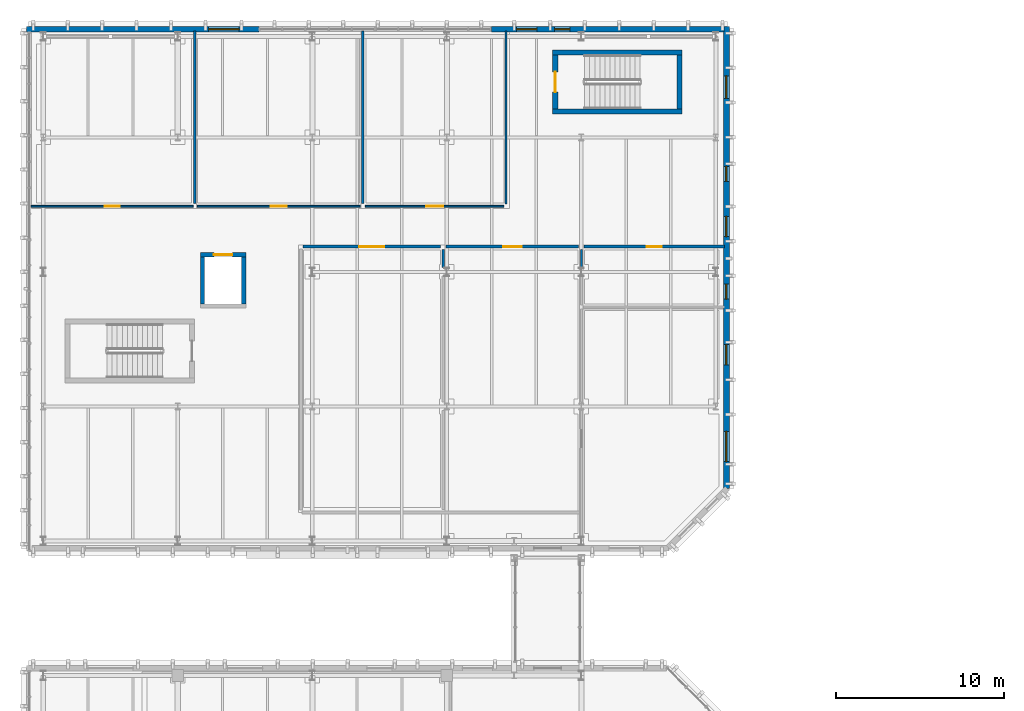
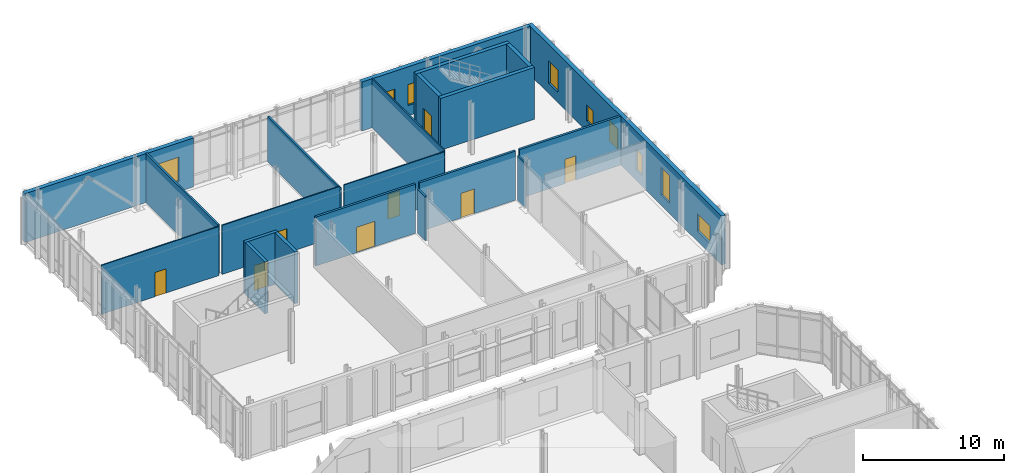
# One storey, part 71 of 100: 21 walls, 9 windows, 8 doors, 17 openings.
"""IFC4 building model written with IfcOpenShell, lengths in metres."""

from ifc_helpers import new_model, si_unit, direction, frame, frame_2d, origin, place, context, subcontext, project, spatial, rectangle, extrude, material, layer, layer_set, type_object, element, fill, save


model = new_model("IFC4")

# Units and contexts
model_context = context("Model", 3, precision=1e-05, world=origin(), true_north=direction((0.0, 1.0)))
body_context = subcontext(model_context, "Body", "Model", "MODEL_VIEW")
ifc_project = project(units=[si_unit("LENGTHUNIT", "METRE"), si_unit("AREAUNIT", "SQUARE_METRE"), si_unit("VOLUMEUNIT", "CUBIC_METRE"), si_unit("PLANEANGLEUNIT", "RADIAN"), si_unit("MASSUNIT", "GRAM", prefix="KILO")], contexts=[model_context])

# Site, building, storey
site_placement = place(None, origin())
site = spatial("IfcSite", under=ifc_project, at=site_placement, CompositionType="ELEMENT")
building_placement = place(site_placement, origin())
building = spatial("IfcBuilding", under=site, at=building_placement, Name="Cymarion Research Institute", CompositionType="ELEMENT")
storey_placement = place(building_placement, frame((0.0, 0.0, 4.800048828125)))
storey = spatial("IfcBuildingStorey", under=building, at=storey_placement, Name="L01", CompositionType="ELEMENT", Elevation=4.800048828125)

# Wall, openings, windows
ifc_material_1 = material(Name="Precast concrete C40/50", Category="concrete")
ifc_layer_1 = layer(ifc_material_1, 0.340087890625)
ifc_layer_set_1 = layer_set([ifc_layer_1], Name="Precast concrete C40/50")
wall_type_1 = type_object("IfcWallType", Name="EXTERIOR WALL EW-PC340 340MM", PredefinedType="SOLIDWALL", material=ifc_layer_set_1)
wall_1_placement = place(storey_placement, frame((47.22998046875, 88.622802734375, 0.0), z_axis=(0.0, 0.0, 1.0), x_axis=(0.0, 1.0, 0.0)))
wall_1 = element("IfcWall", 1, at=wall_1_placement, inside=storey, type_object=wall_type_1, Name="L01 V5 exterior wall EW-PC340 #115", PredefinedType="SOLIDWALL", context=body_context, shape_type="SweptSolid", body=[
    extrude(rectangle(XDim=27.477294921875, YDim=0.340087890625, at=frame_2d((13.73876953125, 0.0))), origin(), (0.0, 0.0, 1.0), 4.25),
])
opening_1_placement = place(wall_1_placement, frame((1.589111328125, 0.0, 0.89990234375)))
opening_1 = element("IfcOpeningElement", 2, at=opening_1_placement, cuts=wall_1, Name="Opening W17", PredefinedType="OPENING", context=body_context, shape_type="SweptSolid", body=[
    extrude(rectangle(XDim=1.800048828125, YDim=1.5, at=frame_2d((0.89990234375, 0.75))), frame((0.0, 0.179931640625, 0.0), z_axis=(0.0, -1.0, 0.0), x_axis=(1.0, 0.0, 0.0)), (0.0, 0.0, 1.0), 0.360107421875),
])
opening_2_placement = place(wall_1_placement, frame((7.346923828125, 0.0, 0.89990234375)))
opening_2 = element("IfcOpeningElement", 3, at=opening_2_placement, cuts=wall_1, Name="Opening W19", PredefinedType="OPENING", context=body_context, shape_type="SweptSolid", body=[
    extrude(rectangle(XDim=1.199951171875, YDim=2.39990234375, at=frame_2d((0.60009765625, 1.199951171875))), frame((0.0, 0.179931640625, 0.0), z_axis=(0.0, -1.0, 0.0), x_axis=(1.0, 0.0, 0.0)), (0.0, 0.0, 1.0), 0.360107421875),
])
opening_3_placement = place(wall_1_placement, frame((11.257080078125, 0.0, 0.89990234375)))
opening_3 = element("IfcOpeningElement", 4, at=opening_3_placement, cuts=wall_1, Name="Opening W24", PredefinedType="OPENING", context=body_context, shape_type="SweptSolid", body=[
    extrude(rectangle(XDim=0.89990234375, YDim=1.800048828125, at=frame_2d((0.449951171875, 0.89990234375))), frame((0.0, 0.179931640625, 0.0), z_axis=(0.0, -1.0, 0.0), x_axis=(1.0, 0.0, 0.0)), (0.0, 0.0, 1.0), 0.360107421875),
])
opening_4_placement = place(wall_1_placement, frame((14.97705078125, 0.0, 0.89990234375)))
opening_4 = element("IfcOpeningElement", 5, at=opening_4_placement, cuts=wall_1, Name="Opening W01", PredefinedType="OPENING", context=body_context, shape_type="SweptSolid", body=[
    extrude(rectangle(XDim=1.199951171875, YDim=1.800048828125, at=frame_2d((0.60009765625, 0.89990234375))), frame((0.0, 0.179931640625, 0.0), z_axis=(0.0, -1.0, 0.0), x_axis=(1.0, 0.0, 0.0)), (0.0, 0.0, 1.0), 0.360107421875),
])
opening_5_placement = place(wall_1_placement, frame((18.257080078125, 0.0, 0.89990234375)))
opening_5 = element("IfcOpeningElement", 6, at=opening_5_placement, cuts=wall_1, Name="Opening W25", PredefinedType="OPENING", context=body_context, shape_type="SweptSolid", body=[
    extrude(rectangle(XDim=0.89990234375, YDim=1.39990234375, at=frame_2d((0.449951171875, 0.699951171875))), frame((0.0, 0.179931640625, 0.0), z_axis=(0.0, -1.0, 0.0), x_axis=(1.0, 0.0, 0.0)), (0.0, 0.0, 1.0), 0.360107421875),
])
opening_6_placement = place(wall_1_placement, frame((23.19189453125, 0.0, 0.89990234375)))
opening_6 = element("IfcOpeningElement", 7, at=opening_6_placement, cuts=wall_1, Name="Opening W27", PredefinedType="OPENING", context=body_context, shape_type="SweptSolid", body=[
    extrude(rectangle(XDim=1.35009765625, YDim=1.949951171875, at=frame_2d((0.675048828125, 0.97509765625))), frame((0.0, 0.179931640625, 0.0), z_axis=(0.0, -1.0, 0.0), x_axis=(1.0, 0.0, 0.0)), (0.0, 0.0, 1.0), 0.360107421875),
])
ifc_material_2 = material(Name="Thermally broken aluminium window with Low-E glazing", Category="aluminium")
window_type_1 = type_object("IfcWindowType", Name="THERMALLY BROKEN ALUMINIUM WINDOW W01 1200X1800", PartitioningType="SINGLE_PANEL", PredefinedType="WINDOW", material=ifc_material_2)
window_1_placement = place(opening_4_placement, origin())
window_1 = element("IfcWindow", 8, at=window_1_placement, inside=storey, type_object=window_type_1, Name="L01 V5 facade window W01 #220", OverallHeight=1.800048828125, OverallWidth=1.199951171875, PartitioningType="SINGLE_PANEL", PredefinedType="WINDOW", context=body_context, shape_type="SweptSolid", body=[
    extrude(rectangle(XDim=1.199951171875, YDim=1.800048828125, at=frame_2d((0.60009765625, 0.89990234375))), frame((0.0, 0.030029296875, 0.0), z_axis=(0.0, -1.0, 0.0), x_axis=(1.0, 0.0, 0.0)), (0.0, 0.0, 1.0), 0.06005859375),
])
fill(opening_4, window_1)
window_type_2 = type_object("IfcWindowType", Name="THERMALLY BROKEN ALUMINIUM WINDOW W17 1800X1500", PartitioningType="DOUBLE_PANEL_HORIZONTAL", PredefinedType="WINDOW", material=ifc_material_2)
window_2_placement = place(opening_1_placement, origin())
window_2 = element("IfcWindow", 9, at=window_2_placement, inside=storey, type_object=window_type_2, Name="L01 V5 facade window W17 #217", OverallHeight=1.5, OverallWidth=1.800048828125, PartitioningType="SINGLE_PANEL", PredefinedType="WINDOW", context=body_context, shape_type="SweptSolid", body=[
    extrude(rectangle(XDim=1.800048828125, YDim=1.5, at=frame_2d((0.89990234375, 0.75))), frame((0.0, 0.030029296875, 0.0), z_axis=(0.0, -1.0, 0.0), x_axis=(1.0, 0.0, 0.0)), (0.0, 0.0, 1.0), 0.06005859375),
])
fill(opening_1, window_2)
window_type_3 = type_object("IfcWindowType", Name="THERMALLY BROKEN ALUMINIUM WINDOW W19 1200X2400", PartitioningType="SINGLE_PANEL", PredefinedType="WINDOW", material=ifc_material_2)
window_3_placement = place(opening_2_placement, origin())
window_3 = element("IfcWindow", 10, at=window_3_placement, inside=storey, type_object=window_type_3, Name="L01 V5 facade window W19 #218", OverallHeight=2.39990234375, OverallWidth=1.199951171875, PartitioningType="SINGLE_PANEL", PredefinedType="WINDOW", context=body_context, shape_type="SweptSolid", body=[
    extrude(rectangle(XDim=1.199951171875, YDim=2.39990234375, at=frame_2d((0.60009765625, 1.199951171875))), frame((0.0, 0.030029296875, 0.0), z_axis=(0.0, -1.0, 0.0), x_axis=(1.0, 0.0, 0.0)), (0.0, 0.0, 1.0), 0.06005859375),
])
fill(opening_2, window_3)
window_type_4 = type_object("IfcWindowType", Name="THERMALLY BROKEN ALUMINIUM WINDOW W24 900X1800", PartitioningType="SINGLE_PANEL", PredefinedType="WINDOW", material=ifc_material_2)
window_4_placement = place(opening_3_placement, origin())
window_4 = element("IfcWindow", 11, at=window_4_placement, inside=storey, type_object=window_type_4, Name="L01 V5 facade window W24 #219", OverallHeight=1.800048828125, OverallWidth=0.89990234375, PartitioningType="SINGLE_PANEL", PredefinedType="WINDOW", context=body_context, shape_type="SweptSolid", body=[
    extrude(rectangle(XDim=0.89990234375, YDim=1.800048828125, at=frame_2d((0.449951171875, 0.89990234375))), frame((0.0, 0.030029296875, 0.0), z_axis=(0.0, -1.0, 0.0), x_axis=(1.0, 0.0, 0.0)), (0.0, 0.0, 1.0), 0.06005859375),
])
fill(opening_3, window_4)
window_type_5 = type_object("IfcWindowType", Name="THERMALLY BROKEN ALUMINIUM WINDOW W25 900X1400", PartitioningType="SINGLE_PANEL", PredefinedType="WINDOW", material=ifc_material_2)
window_5_placement = place(opening_5_placement, origin())
window_5 = element("IfcWindow", 12, at=window_5_placement, inside=storey, type_object=window_type_5, Name="L01 V5 facade window W25 #221", OverallHeight=1.39990234375, OverallWidth=0.89990234375, PartitioningType="SINGLE_PANEL", PredefinedType="WINDOW", context=body_context, shape_type="SweptSolid", body=[
    extrude(rectangle(XDim=0.89990234375, YDim=1.39990234375, at=frame_2d((0.449951171875, 0.699951171875))), frame((0.0, 0.030029296875, 0.0), z_axis=(0.0, -1.0, 0.0), x_axis=(1.0, 0.0, 0.0)), (0.0, 0.0, 1.0), 0.06005859375),
])
fill(opening_5, window_5)
window_type_6 = type_object("IfcWindowType", Name="THERMALLY BROKEN ALUMINIUM WINDOW W27 1350X1950", PartitioningType="SINGLE_PANEL", PredefinedType="WINDOW", material=ifc_material_2)
window_6_placement = place(opening_6_placement, origin())
window_6 = element("IfcWindow", 13, at=window_6_placement, inside=storey, type_object=window_type_6, Name="L01 V5 facade window W27 #222", OverallHeight=1.949951171875, OverallWidth=1.35009765625, PartitioningType="SINGLE_PANEL", PredefinedType="WINDOW", context=body_context, shape_type="SweptSolid", body=[
    extrude(rectangle(XDim=1.35009765625, YDim=1.949951171875, at=frame_2d((0.675048828125, 0.97509765625))), frame((0.0, 0.030029296875, 0.0), z_axis=(0.0, -1.0, 0.0), x_axis=(1.0, 0.0, 0.0)), (0.0, 0.0, 1.0), 0.06005859375),
])
fill(opening_6, window_6)

wall_2_placement = place(storey_placement, frame((47.077880859375, 115.929931640625, 0.0), z_axis=(0.0, 0.0, 1.0), x_axis=(-1.0, 0.0, 0.0)))
wall_2 = element("IfcWall", 14, at=wall_2_placement, inside=storey, type_object=wall_type_1, Name="L01 V5 facade pier wall EW-PC340 #116", PredefinedType="SOLIDWALL", context=body_context, shape_type="SweptSolid", body=[
    extrude(rectangle(XDim=13.825927734375, YDim=0.340087890625, at=frame_2d((6.9130859375, 0.0))), origin(), (0.0, 0.0, 1.0), 4.25),
])
opening_7_placement = place(wall_2_placement, frame((9.157958984375, 0.0, 0.89990234375)))
opening_7 = element("IfcOpeningElement", 15, at=opening_7_placement, cuts=wall_2, Name="Opening W24", PredefinedType="OPENING", context=body_context, shape_type="SweptSolid", body=[
    extrude(rectangle(XDim=0.89990234375, YDim=1.800048828125, at=frame_2d((0.449951171875, 0.89990234375))), frame((0.0, 0.179931640625, 0.0), z_axis=(0.0, -1.0, 0.0), x_axis=(1.0, 0.0, 0.0)), (0.0, 0.0, 1.0), 0.360107421875),
])
opening_8_placement = place(wall_2_placement, frame((11.117919921875, 0.0, 0.89990234375)))
opening_8 = element("IfcOpeningElement", 16, at=opening_8_placement, cuts=wall_2, Name="Opening W01", PredefinedType="OPENING", context=body_context, shape_type="SweptSolid", body=[
    extrude(rectangle(XDim=1.199951171875, YDim=1.800048828125, at=frame_2d((0.60009765625, 0.89990234375))), frame((0.0, 0.179931640625, 0.0), z_axis=(0.0, -1.0, 0.0), x_axis=(1.0, 0.0, 0.0)), (0.0, 0.0, 1.0), 0.360107421875),
])
window_7_placement = place(opening_8_placement, origin())
window_7 = element("IfcWindow", 17, at=window_7_placement, inside=storey, type_object=window_type_1, Name="L01 V5 facade window W01 #224", OverallHeight=1.800048828125, OverallWidth=1.199951171875, PartitioningType="SINGLE_PANEL", PredefinedType="WINDOW", context=body_context, shape_type="SweptSolid", body=[
    extrude(rectangle(XDim=1.199951171875, YDim=1.800048828125, at=frame_2d((0.60009765625, 0.89990234375))), frame((0.0, 0.030029296875, 0.0), z_axis=(0.0, -1.0, 0.0), x_axis=(1.0, 0.0, 0.0)), (0.0, 0.0, 1.0), 0.06005859375),
])
fill(opening_8, window_7)
window_8_placement = place(opening_7_placement, origin())
window_8 = element("IfcWindow", 18, at=window_8_placement, inside=storey, type_object=window_type_4, Name="L01 V5 facade window W24 #223", OverallHeight=1.800048828125, OverallWidth=0.89990234375, PartitioningType="SINGLE_PANEL", PredefinedType="WINDOW", context=body_context, shape_type="SweptSolid", body=[
    extrude(rectangle(XDim=0.89990234375, YDim=1.800048828125, at=frame_2d((0.449951171875, 0.89990234375))), frame((0.0, 0.030029296875, 0.0), z_axis=(0.0, -1.0, 0.0), x_axis=(1.0, 0.0, 0.0)), (0.0, 0.0, 1.0), 0.06005859375),
])
fill(opening_7, window_8)

# Wall, opening, window
wall_3_placement = place(storey_placement, frame((19.426025390625, 115.929931640625, 0.0), z_axis=(0.0, 0.0, 1.0), x_axis=(-1.0, 0.0, 0.0)))
wall_3 = element("IfcWall", 19, at=wall_3_placement, inside=storey, type_object=wall_type_1, Name="L01 V5 facade pier wall EW-PC340 #117", PredefinedType="SOLIDWALL", context=body_context, shape_type="SweptSolid", body=[
    extrude(rectangle(XDim=13.825927734375, YDim=0.340087890625, at=frame_2d((6.9130859375, 0.0))), origin(), (0.0, 0.0, 1.0), 4.25),
])
opening_9_placement = place(wall_3_placement, frame((1.18310546875, 0.0, 0.89990234375)))
opening_9 = element("IfcOpeningElement", 20, at=opening_9_placement, cuts=wall_3, Name="Opening W10", PredefinedType="OPENING", context=body_context, shape_type="SweptSolid", body=[
    extrude(rectangle(XDim=1.800048828125, YDim=2.10009765625, at=frame_2d((0.89990234375, 1.050048828125))), frame((0.0, 0.179931640625, 0.0), z_axis=(0.0, -1.0, 0.0), x_axis=(1.0, 0.0, 0.0)), (0.0, 0.0, 1.0), 0.360107421875),
])
window_type_7 = type_object("IfcWindowType", Name="THERMALLY BROKEN ALUMINIUM WINDOW W10 1800X2100", PartitioningType="DOUBLE_PANEL_VERTICAL", PredefinedType="WINDOW", material=ifc_material_2)
window_9_placement = place(opening_9_placement, origin())
window_9 = element("IfcWindow", 21, at=window_9_placement, inside=storey, type_object=window_type_7, Name="L01 V5 facade window W10 #225", OverallHeight=2.10009765625, OverallWidth=1.800048828125, PartitioningType="SINGLE_PANEL", PredefinedType="WINDOW", context=body_context, shape_type="SweptSolid", body=[
    extrude(rectangle(XDim=1.800048828125, YDim=2.10009765625, at=frame_2d((0.89990234375, 1.050048828125))), frame((0.0, 0.030029296875, 0.0), z_axis=(0.0, -1.0, 0.0), x_axis=(1.0, 0.0, 0.0)), (0.0, 0.0, 1.0), 0.06005859375),
])
fill(opening_9, window_9)

# Walls
ifc_material_3 = material(Name="Gypsum acoustic double-stud partition", Category="gypsum")
ifc_layer_2 = layer(ifc_material_3, 0.14990234375)
ifc_layer_set_2 = layer_set([ifc_layer_2], Name="Gypsum acoustic double-stud partition")
wall_type_2 = type_object("IfcWallType", Name="INTERIOR PARTITION IW-AC150 150MM", PredefinedType="PARTITIONING", material=ifc_layer_set_2)
wall_4_placement = place(storey_placement, frame((30.39990234375, 101.75, 0.0), z_axis=(0.0, 0.0, 1.0), x_axis=(0.0, 1.0, 0.0)))
element("IfcWall", 22, at=wall_4_placement, inside=storey, type_object=wall_type_2, Name="L01 V5 interior partition IW-AC150 #150", PredefinedType="PARTITIONING", context=body_context, shape_type="SweptSolid", body=[
    extrude(rectangle(XDim=1.090087890625, YDim=0.14990234375, at=frame_2d((0.544921875, 0.0))), origin(), (0.0, 0.0, 1.0), 3.849853515625),
])
wall_5_placement = place(storey_placement, frame((15.60009765625, 105.56005859375, 0.0), z_axis=(0.0, 0.0, 1.0), x_axis=(0.0, 1.0, 0.0)))
element("IfcWall", 23, at=wall_5_placement, inside=storey, type_object=wall_type_2, Name="L01 V5 interior partition IW-AC150 #159", PredefinedType="PARTITIONING", context=body_context, shape_type="SweptSolid", body=[
    extrude(rectangle(XDim=10.2548828125, YDim=0.14990234375, at=frame_2d((5.12744140625, 0.0))), origin(), (0.0, 0.0, 1.0), 4.25),
])
wall_6_placement = place(storey_placement, frame((25.60009765625, 105.56005859375, 0.0), z_axis=(0.0, 0.0, 1.0), x_axis=(0.0, 1.0, 0.0)))
element("IfcWall", 24, at=wall_6_placement, inside=storey, type_object=wall_type_2, Name="L01 V5 interior partition IW-AC150 #160", PredefinedType="PARTITIONING", context=body_context, shape_type="SweptSolid", body=[
    extrude(rectangle(XDim=10.2548828125, YDim=0.14990234375, at=frame_2d((5.12744140625, 0.0))), origin(), (0.0, 0.0, 1.0), 3.949951171875),
])
ifc_material_4 = material(Name="Framed acoustic glass laboratory screen", Category="glass")
ifc_layer_3 = layer(ifc_material_4, 0.10009765625)
ifc_layer_set_3 = layer_set([ifc_layer_3], Name="Framed acoustic glass laboratory screen")
wall_type_3 = type_object("IfcWallType", Name="INTERIOR PARTITION IW-GL100 100MM", PredefinedType="PARTITIONING", material=ifc_layer_set_3)
wall_7_placement = place(storey_placement, frame((34.1201171875, 105.5400390625, 0.0), z_axis=(0.0, 0.0, 1.0), x_axis=(0.0, 1.0, 0.0)))
element("IfcWall", 25, at=wall_7_placement, inside=storey, type_object=wall_type_3, Name="L01 V5 interior partition IW-GL100 #161", PredefinedType="PARTITIONING", context=body_context, shape_type="SweptSolid", body=[
    extrude(rectangle(XDim=10.27490234375, YDim=0.10009765625, at=frame_2d((5.137451171875, 0.0))), origin(), (0.0, 0.0, 1.0), 4.25),
])

# Wall, opening, door
wall_8_placement = place(storey_placement, frame((5.885009765625, 105.39990234375, 0.0), z_axis=(0.0, 0.0, 1.0), x_axis=(1.0, 0.0, 0.0)))
wall_8 = element("IfcWall", 26, at=wall_8_placement, inside=storey, type_object=wall_type_3, Name="L01 V5 interior partition IW-GL100 #162", PredefinedType="PARTITIONING", context=body_context, shape_type="SweptSolid", body=[
    extrude(rectangle(XDim=9.635009765625, YDim=0.10009765625, at=frame_2d((4.8173828125, 0.0))), origin(), (0.0, 0.0, 1.0), 4.25),
])
opening_10_placement = place(wall_8_placement, frame((4.367919921875, 0.0, 0.0)))
opening_10 = element("IfcOpeningElement", 27, at=opening_10_placement, cuts=wall_8, Name="Opening D-L01-103", PredefinedType="OPENING", context=body_context, shape_type="SweptSolid", body=[
    extrude(rectangle(XDim=0.89990234375, YDim=2.10009765625, at=frame_2d((0.449951171875, 1.050048828125))), frame((0.0, 0.06005859375, 0.0), z_axis=(0.0, -1.0, 0.0), x_axis=(1.0, 0.0, 0.0)), (0.0, 0.0, 1.0), 0.1201171875),
])
ifc_material_5 = material(Name="Flush acoustic timber/steel door assembly", Category="steel")
door_type_1 = type_object("IfcDoorType", Name="RESEARCH WRITE-UP OFFICE DOOR DT-OF090 900X2100", OperationType="NOTDEFINED", PredefinedType="DOOR", material=ifc_material_5)
door_1_placement = place(opening_10_placement, origin())
door_1 = element("IfcDoor", 28, at=door_1_placement, inside=storey, type_object=door_type_1, Name="L01 Faculty Office W door D-L01-103", OperationType="SINGLE_SWING_RIGHT", OverallHeight=2.10009765625, OverallWidth=0.89990234375, PredefinedType="DOOR", context=body_context, shape_type="SweptSolid", body=[
    extrude(rectangle(XDim=0.89990234375, YDim=2.10009765625, at=frame_2d((0.449951171875, 1.050048828125))), frame((0.0, 0.02490234375, 0.0), z_axis=(0.0, -1.0, 0.0), x_axis=(1.0, 0.0, 0.0)), (0.0, 0.0, 1.0), 0.050048828125),
])
fill(opening_10, door_1)

wall_9_placement = place(storey_placement, frame((15.760009765625, 105.39990234375, 0.0), z_axis=(0.0, 0.0, 1.0), x_axis=(1.0, 0.0, 0.0)))
wall_9 = element("IfcWall", 29, at=wall_9_placement, inside=storey, type_object=wall_type_3, Name="L01 V5 interior partition IW-GL100 #163", PredefinedType="PARTITIONING", context=body_context, shape_type="SweptSolid", body=[
    extrude(rectangle(XDim=9.679931640625, YDim=0.10009765625, at=frame_2d((4.83984375, 0.0))), origin(), (0.0, 0.0, 1.0), 4.25),
])
opening_11_placement = place(wall_9_placement, frame((4.364990234375, 0.0, 0.0)))
opening_11 = element("IfcOpeningElement", 30, at=opening_11_placement, cuts=wall_9, Name="Opening D-L01-104", PredefinedType="OPENING", context=body_context, shape_type="SweptSolid", body=[
    extrude(rectangle(XDim=0.949951171875, YDim=2.10009765625, at=frame_2d((0.47509765625, 1.050048828125))), frame((0.0, 0.06005859375, 0.0), z_axis=(0.0, -1.0, 0.0), x_axis=(1.0, 0.0, 0.0)), (0.0, 0.0, 1.0), 0.1201171875),
])
door_type_2 = type_object("IfcDoorType", Name="FACULTY STUDY DOOR DT-OF095 950X2100", OperationType="NOTDEFINED", PredefinedType="DOOR", material=ifc_material_5)
door_2_placement = place(opening_11_placement, origin())
door_2 = element("IfcDoor", 31, at=door_2_placement, inside=storey, type_object=door_type_2, Name="L01 Postdoc Write-Up door D-L01-104", OperationType="SINGLE_SWING_LEFT", OverallHeight=2.10009765625, OverallWidth=0.949951171875, PredefinedType="DOOR", context=body_context, shape_type="SweptSolid", body=[
    extrude(rectangle(XDim=0.949951171875, YDim=2.10009765625, at=frame_2d((0.47509765625, 1.050048828125))), frame((0.0, 0.02490234375, 0.0), z_axis=(0.0, -1.0, 0.0), x_axis=(1.0, 0.0, 0.0)), (0.0, 0.0, 1.0), 0.050048828125),
])
fill(opening_11, door_2)

wall_10_placement = place(storey_placement, frame((25.760009765625, 105.39990234375, 0.0), z_axis=(0.0, 0.0, 1.0), x_axis=(1.0, 0.0, 0.0)))
wall_10 = element("IfcWall", 32, at=wall_10_placement, inside=storey, type_object=wall_type_3, Name="L01 V5 interior partition IW-GL100 #164", PredefinedType="PARTITIONING", context=body_context, shape_type="SweptSolid", body=[
    extrude(rectangle(XDim=8.239990234375, YDim=0.10009765625, at=frame_2d((4.1201171875, 0.0))), origin(), (0.0, 0.0, 1.0), 4.25),
])
opening_12_placement = place(wall_10_placement, frame((3.6201171875, 0.0, 0.0)))
opening_12 = element("IfcOpeningElement", 33, at=opening_12_placement, cuts=wall_10, Name="Opening D-L01-105", PredefinedType="OPENING", context=body_context, shape_type="SweptSolid", body=[
    extrude(rectangle(XDim=1.0, YDim=2.14990234375, at=frame_2d((0.5, 1.074951171875))), frame((0.0, 0.06005859375, 0.0), z_axis=(0.0, -1.0, 0.0), x_axis=(1.0, 0.0, 0.0)), (0.0, 0.0, 1.0), 0.1201171875),
])
door_type_3 = type_object("IfcDoorType", Name="LABORATORY SINGLE LEAF DOOR DT-LB100 1000X2150", OperationType="NOTDEFINED", PredefinedType="DOOR", material=ifc_material_5)
door_3_placement = place(opening_12_placement, origin())
door_3 = element("IfcDoor", 34, at=door_3_placement, inside=storey, type_object=door_type_3, Name="L01 AI Visualization Lab door D-L01-105", OperationType="SINGLE_SWING_RIGHT", OverallHeight=2.14990234375, OverallWidth=1.0, PredefinedType="DOOR", context=body_context, shape_type="SweptSolid", body=[
    extrude(rectangle(XDim=1.0, YDim=2.14990234375, at=frame_2d((0.5, 1.074951171875))), frame((0.0, 0.02490234375, 0.0), z_axis=(0.0, -1.0, 0.0), x_axis=(1.0, 0.0, 0.0)), (0.0, 0.0, 1.0), 0.050048828125),
])
fill(opening_12, door_3)

ifc_material_6 = material(Name="Moisture-resistant laboratory partition", Category="gypsum")
ifc_layer_4 = layer(ifc_material_6, 0.179931640625)
ifc_layer_set_4 = layer_set([ifc_layer_4], Name="Moisture-resistant laboratory partition")
wall_type_4 = type_object("IfcWallType", Name="INTERIOR PARTITION IW-LB180 180MM", PredefinedType="PARTITIONING", material=ifc_layer_set_4)
wall_11_placement = place(storey_placement, frame((22.050048828125, 103.0, 0.0), z_axis=(0.0, 0.0, 1.0), x_axis=(1.0, 0.0, 0.0)))
wall_11 = element("IfcWall", 35, at=wall_11_placement, inside=storey, type_object=wall_type_4, Name="L01 V5 interior partition IW-LB180 #156", PredefinedType="PARTITIONING", context=body_context, shape_type="SweptSolid", body=[
    extrude(rectangle(XDim=8.18994140625, YDim=0.179931640625, at=frame_2d((4.094970703125, 0.0))), origin(), (0.0, 0.0, 1.0), 4.25),
])
opening_13_placement = place(wall_11_placement, frame((3.344970703125, 0.0, 0.0)))
opening_13 = element("IfcOpeningElement", 36, at=opening_13_placement, cuts=wall_11, Name="Opening D-L01-100", PredefinedType="OPENING", context=body_context, shape_type="SweptSolid", body=[
    extrude(rectangle(XDim=1.5, YDim=2.199951171875, at=frame_2d((0.75, 1.10009765625))), frame((0.0, 0.099853515625, 0.0), z_axis=(0.0, -1.0, 0.0), x_axis=(1.0, 0.0, 0.0)), (0.0, 0.0, 1.0), 0.199951171875),
])
door_type_4 = type_object("IfcDoorType", Name="LABORATORY EQUIPMENT DOUBLE DOOR DT-LB150 1500X2200", OperationType="DOUBLE_DOOR_SINGLE_SWING", PredefinedType="DOOR", material=ifc_material_5)
door_4_placement = place(opening_13_placement, origin())
door_4 = element("IfcDoor", 37, at=door_4_placement, inside=storey, type_object=door_type_4, Name="L01 Dry Lab 1 door D-L01-100", OperationType="DOUBLE_DOOR_SINGLE_SWING", OverallHeight=2.199951171875, OverallWidth=1.5, PredefinedType="DOOR", context=body_context, shape_type="SweptSolid", body=[
    extrude(rectangle(XDim=1.5, YDim=2.199951171875, at=frame_2d((0.75, 1.10009765625))), frame((0.0, 0.02490234375, 0.0), z_axis=(0.0, -1.0, 0.0), x_axis=(1.0, 0.0, 0.0)), (0.0, 0.0, 1.0), 0.050048828125),
])
fill(opening_13, door_4)

wall_12_placement = place(storey_placement, frame((30.56005859375, 103.0, 0.0), z_axis=(0.0, 0.0, 1.0), x_axis=(1.0, 0.0, 0.0)))
wall_12 = element("IfcWall", 38, at=wall_12_placement, inside=storey, type_object=wall_type_4, Name="L01 V5 interior partition IW-LB180 #157", PredefinedType="PARTITIONING", context=body_context, shape_type="SweptSolid", body=[
    extrude(rectangle(XDim=7.8798828125, YDim=0.179931640625, at=frame_2d((3.93994140625, 0.0))), origin(), (0.0, 0.0, 1.0), 4.25),
])
opening_14_placement = place(wall_12_placement, frame((3.389892578125, 0.0, 0.0)))
opening_14 = element("IfcOpeningElement", 39, at=opening_14_placement, cuts=wall_12, Name="Opening D-L01-101", PredefinedType="OPENING", context=body_context, shape_type="SweptSolid", body=[
    extrude(rectangle(XDim=1.10009765625, YDim=2.14990234375, at=frame_2d((0.550048828125, 1.074951171875))), frame((0.0, 0.099853515625, 0.0), z_axis=(0.0, -1.0, 0.0), x_axis=(1.0, 0.0, 0.0)), (0.0, 0.0, 1.0), 0.199951171875),
])
door_type_5 = type_object("IfcDoorType", Name="LABORATORY WIDE SINGLE DOOR DT-LB110 1100X2150", OperationType="NOTDEFINED", PredefinedType="DOOR", material=ifc_material_5)
door_5_placement = place(opening_14_placement, origin())
door_5 = element("IfcDoor", 40, at=door_5_placement, inside=storey, type_object=door_type_5, Name="L01 Server Cluster door D-L01-101", OperationType="SINGLE_SWING_RIGHT", OverallHeight=2.14990234375, OverallWidth=1.10009765625, PredefinedType="DOOR", context=body_context, shape_type="SweptSolid", body=[
    extrude(rectangle(XDim=1.10009765625, YDim=2.14990234375, at=frame_2d((0.550048828125, 1.074951171875))), frame((0.0, 0.02490234375, 0.0), z_axis=(0.0, -1.0, 0.0), x_axis=(1.0, 0.0, 0.0)), (0.0, 0.0, 1.0), 0.050048828125),
])
fill(opening_14, door_5)

wall_13_placement = place(storey_placement, frame((38.760009765625, 103.0, 0.0), z_axis=(0.0, 0.0, 1.0), x_axis=(1.0, 0.0, 0.0)))
wall_13 = element("IfcWall", 41, at=wall_13_placement, inside=storey, type_object=wall_type_4, Name="L01 V5 interior partition IW-LB180 #158", PredefinedType="PARTITIONING", context=body_context, shape_type="SweptSolid", body=[
    extrude(rectangle(XDim=8.35498046875, YDim=0.179931640625, at=frame_2d((4.177490234375, 0.0))), origin(), (0.0, 0.0, 1.0), 4.25),
])
opening_15_placement = place(wall_13_placement, frame((3.72802734375, 0.0, 0.0)))
opening_15 = element("IfcOpeningElement", 42, at=opening_15_placement, cuts=wall_13, Name="Opening D-L01-102", PredefinedType="OPENING", context=body_context, shape_type="SweptSolid", body=[
    extrude(rectangle(XDim=0.89990234375, YDim=2.10009765625, at=frame_2d((0.449951171875, 1.050048828125))), frame((0.0, 0.099853515625, 0.0), z_axis=(0.0, -1.0, 0.0), x_axis=(1.0, 0.0, 0.0)), (0.0, 0.0, 1.0), 0.199951171875),
])
door_type_6 = type_object("IfcDoorType", Name="ACCESSIBLE RESTROOM DOOR DT-WC090 900X2100", OperationType="NOTDEFINED", PredefinedType="DOOR", material=ifc_material_5)
door_6_placement = place(opening_15_placement, origin())
door_6 = element("IfcDoor", 43, at=door_6_placement, inside=storey, type_object=door_type_6, Name="L01 Restroom door D-L01-102", OperationType="SINGLE_SWING_LEFT", OverallHeight=2.10009765625, OverallWidth=0.89990234375, PredefinedType="DOOR", context=body_context, shape_type="SweptSolid", body=[
    extrude(rectangle(XDim=0.89990234375, YDim=2.10009765625, at=frame_2d((0.449951171875, 1.050048828125))), frame((0.0, 0.02490234375, 0.0), z_axis=(0.0, -1.0, 0.0), x_axis=(1.0, 0.0, 0.0)), (0.0, 0.0, 1.0), 0.050048828125),
])
fill(opening_15, door_6)

# Wall
ifc_material_7 = material(Name="Service riser shaft wall", Category="gypsum")
ifc_layer_5 = layer(ifc_material_7, 0.1201171875)
ifc_layer_set_5 = layer_set([ifc_layer_5], Name="Service riser shaft wall")
wall_type_5 = type_object("IfcWallType", Name="INTERIOR PARTITION IW-SH120 120MM", PredefinedType="PARTITIONING", material=ifc_layer_set_5)
wall_14_placement = place(storey_placement, frame((38.60009765625, 101.75, 0.0), z_axis=(0.0, 0.0, 1.0), x_axis=(0.0, 1.0, 0.0)))
element("IfcWall", 44, at=wall_14_placement, inside=storey, type_object=wall_type_5, Name="L01 V5 interior partition IW-SH120 #155", PredefinedType="PARTITIONING", context=body_context, shape_type="SweptSolid", body=[
    extrude(rectangle(XDim=1.090087890625, YDim=0.1201171875, at=frame_2d((0.544921875, 0.0))), origin(), (0.0, 0.0, 1.0), 3.849853515625),
])

# Wall, opening, door
ifc_material_8 = material(Name="Concrete C40/50", Category="concrete")
ifc_layer_6 = layer(ifc_material_8, 0.25)
ifc_layer_set_6 = layer_set([ifc_layer_6], Name="Concrete C40/50")
wall_type_6 = type_object("IfcWallType", Name="REINFORCED CONCRETE CORE WALL CW-SH250 250MM", PredefinedType="SHEAR", material=ifc_layer_set_6)
wall_15_placement = place(storey_placement, frame((18.64990234375, 102.52490234375, 0.0), z_axis=(0.0, 0.0, 1.0), x_axis=(-1.0, 0.0, 0.0)))
wall_15 = element("IfcWall", 45, at=wall_15_placement, inside=storey, type_object=wall_type_6, Name="L01 LSH-LP5-L01 north core wall", PredefinedType="SHEAR", context=body_context, shape_type="SweptSolid", body=[
    extrude(rectangle(XDim=2.699951171875, YDim=0.25, at=frame_2d((1.35009765625, 0.0))), origin(), (0.0, 0.0, 1.0), 4.5),
])
opening_16_placement = place(wall_15_placement, frame((0.800048828125, 0.0, 0.0)))
opening_16 = element("IfcOpeningElement", 46, at=opening_16_placement, cuts=wall_15, Name="Opening LD-LP5-L01", PredefinedType="OPENING", context=body_context, shape_type="SweptSolid", body=[
    extrude(rectangle(XDim=1.10009765625, YDim=2.14990234375, at=frame_2d((0.550048828125, 1.074951171875))), frame((0.0, 0.135009765625, 0.0), z_axis=(0.0, -1.0, 0.0), x_axis=(1.0, 0.0, 0.0)), (0.0, 0.0, 1.0), 0.27001953125),
])
ifc_material_9 = material(Name="Fire-rated insulated steel door assembly", Category="steel")
door_type_7 = type_object("IfcDoorType", Name="SLIDING LIFT LANDING DOOR DT-LD110 1100X2150", OperationType="DOUBLE_DOOR_SLIDING", PredefinedType="DOOR", material=ifc_material_9)
door_7_placement = place(opening_16_placement, origin())
door_7 = element("IfcDoor", 47, at=door_7_placement, inside=storey, type_object=door_type_7, Name="Lift LP5 landing door L01", OperationType="DOUBLE_DOOR_SLIDING", OverallHeight=2.14990234375, OverallWidth=1.10009765625, PredefinedType="DOOR", context=body_context, shape_type="SweptSolid", body=[
    extrude(rectangle(XDim=1.10009765625, YDim=2.14990234375, at=frame_2d((0.550048828125, 1.074951171875))), frame((0.0, 0.02490234375, 0.0), z_axis=(0.0, -1.0, 0.0), x_axis=(1.0, 0.0, 0.0)), (0.0, 0.0, 1.0), 0.050048828125),
])
fill(opening_16, door_7)

# Walls
for number, where, z_axis, x_axis, name in (
    (48, (16.074951171875, 102.39990234375, 0.0), (0.0, 0.0, 1.0), (0.0, -1.0, 0.0), "L01 LSH-LP5-L01 west core wall"),
    (49, (18.52490234375, 99.60009765625, 0.0), (0.0, 0.0, 1.0), (0.0, 1.0, 0.0), "L01 LSH-LP5-L01 east core wall"),
):
    element("IfcWall", number, at=place(storey_placement, frame(where, z_axis=z_axis, x_axis=x_axis)), inside=storey, type_object=wall_type_6, Name=name, PredefinedType="SHEAR", context=body_context, shape_type="SweptSolid", body=[
        extrude(rectangle(XDim=2.7998046875, YDim=0.25, at=frame_2d((1.39990234375, 0.0))), origin(), (0.0, 0.0, 1.0), 4.5),
    ])
ifc_layer_7 = layer(ifc_material_8, 0.300048828125)
ifc_layer_set_7 = layer_set([ifc_layer_7], Name="Concrete C40/50")
wall_type_7 = type_object("IfcWallType", Name="REINFORCED CONCRETE CORE WALL CW-SH300 300MM", PredefinedType="SHEAR", material=ifc_layer_set_7)
for number, where, z_axis, x_axis, name in (
    (50, (36.89990234375, 111.050048828125, 0.0), (0.0, 0.0, 1.0), (1.0, 0.0, 0.0), "L01 SHW-C10-L01 south core wall"),
    (51, (44.60009765625, 114.550048828125, 0.0), (0.0, 0.0, 1.0), (-1.0, 0.0, 0.0), "L01 SHW-C10-L01 north core wall"),
):
    element("IfcWall", number, at=place(storey_placement, frame(where, z_axis=z_axis, x_axis=x_axis)), inside=storey, type_object=wall_type_7, Name=name, PredefinedType="SHEAR", context=body_context, shape_type="SweptSolid", body=[
        extrude(rectangle(XDim=7.7001953125, YDim=0.300048828125, at=frame_2d((3.85009765625, 0.0))), origin(), (0.0, 0.0, 1.0), 4.5),
    ])

# Wall, opening, door
wall_16_placement = place(storey_placement, frame((37.050048828125, 114.39990234375, 0.0), z_axis=(0.0, 0.0, 1.0), x_axis=(0.0, -1.0, 0.0)))
wall_16 = element("IfcWall", 52, at=wall_16_placement, inside=storey, type_object=wall_type_7, Name="L01 SHW-C10-L01 west core wall", PredefinedType="SHEAR", context=body_context, shape_type="SweptSolid", body=[
    extrude(rectangle(XDim=3.199951171875, YDim=0.300048828125, at=frame_2d((1.60009765625, 0.0))), origin(), (0.0, 0.0, 1.0), 4.5),
])
opening_17_placement = place(wall_16_placement, frame((1.0, 0.0, 0.0)))
opening_17 = element("IfcOpeningElement", 53, at=opening_17_placement, cuts=wall_16, Name="Opening FD-L01-ST10", PredefinedType="OPENING", context=body_context, shape_type="SweptSolid", body=[
    extrude(rectangle(XDim=1.199951171875, YDim=2.14990234375, at=frame_2d((0.60009765625, 1.074951171875))), frame((0.0, 0.159912109375, 0.0), z_axis=(0.0, -1.0, 0.0), x_axis=(1.0, 0.0, 0.0)), (0.0, 0.0, 1.0), 0.320068359375),
])
door_type_8 = type_object("IfcDoorType", Name="SMOKE PROOF STAIR FIRE DOOR DT-ST120 1200X2150", OperationType="NOTDEFINED", PredefinedType="DOOR", material=ifc_material_9)
door_8_placement = place(opening_17_placement, origin())
door_8 = element("IfcDoor", 54, at=door_8_placement, inside=storey, type_object=door_type_8, Name="L01 ST10 smoke-proof stair door FD-L01-ST10", OperationType="SINGLE_SWING_RIGHT", OverallHeight=2.14990234375, OverallWidth=1.199951171875, PredefinedType="DOOR", context=body_context, shape_type="SweptSolid", body=[
    extrude(rectangle(XDim=1.199951171875, YDim=2.14990234375, at=frame_2d((0.60009765625, 1.074951171875))), frame((0.0, 0.02490234375, 0.0), z_axis=(0.0, -1.0, 0.0), x_axis=(1.0, 0.0, 0.0)), (0.0, 0.0, 1.0), 0.050048828125),
])
fill(opening_17, door_8)

# Wall
wall_17_placement = place(storey_placement, frame((44.449951171875, 111.199951171875, 0.0), z_axis=(0.0, 0.0, 1.0), x_axis=(0.0, 1.0, 0.0)))
element("IfcWall", 55, at=wall_17_placement, inside=storey, type_object=wall_type_7, Name="L01 SHW-C10-L01 east core wall", PredefinedType="SHEAR", context=body_context, shape_type="SweptSolid", body=[
    extrude(rectangle(XDim=3.199951171875, YDim=0.300048828125, at=frame_2d((1.60009765625, 0.0))), origin(), (0.0, 0.0, 1.0), 4.5),
])

save(model, "model.ifc")
